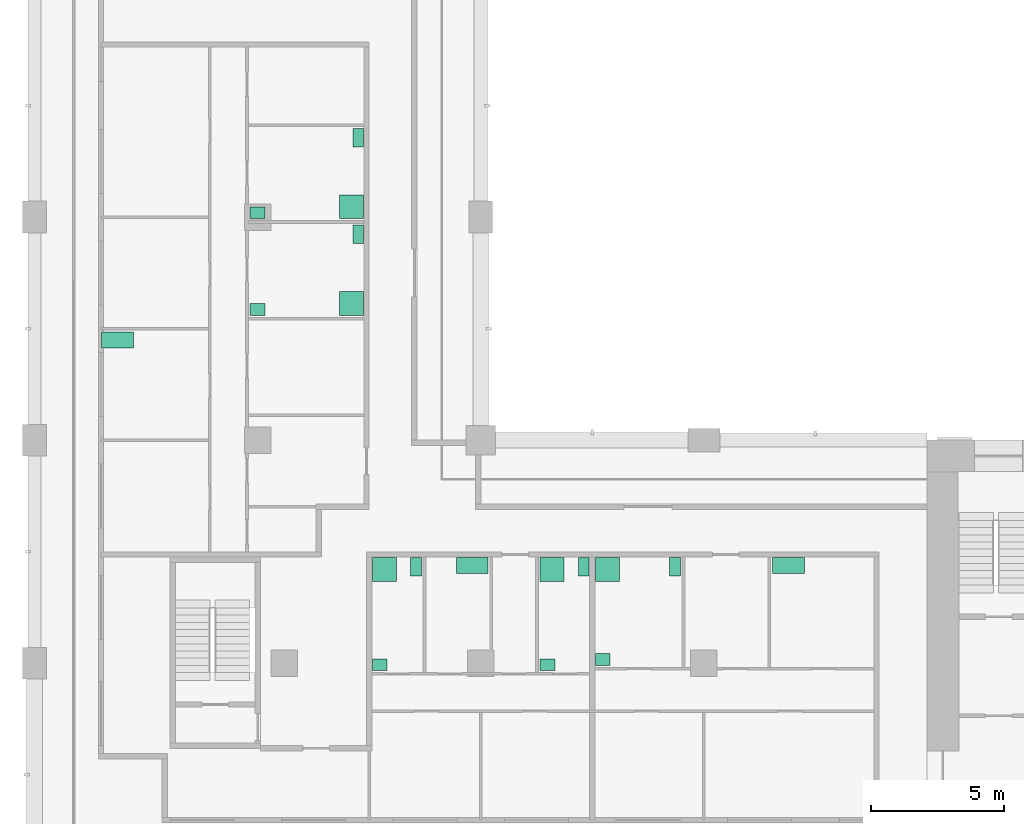
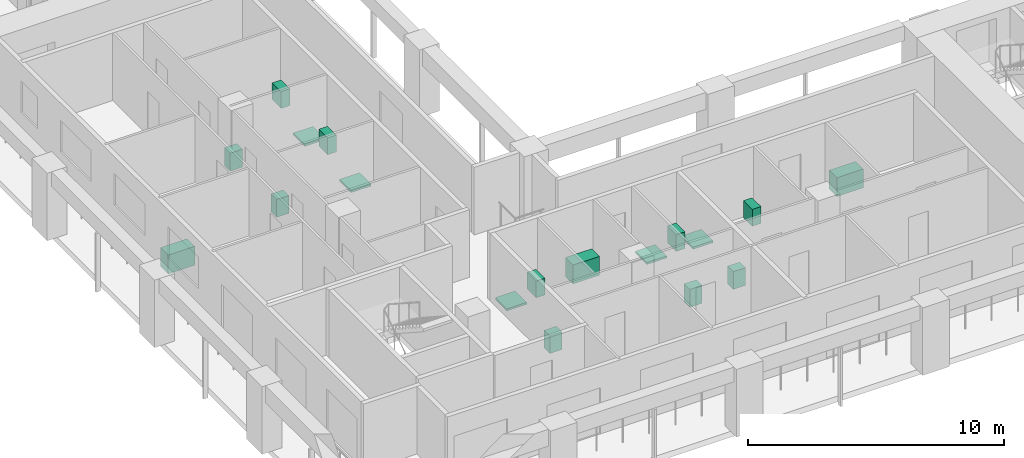
# One storey, part 10 of 10: 18 sanitary terminals.
"""IFC4 building model written with IfcOpenShell, lengths in metres."""

from ifc_helpers import new_model, si_unit, direction, frame, origin, origin_2d, place, context, subcontext, project, spatial, rectangle, extrude, material, element, save


model = new_model("IFC4")

# Units and contexts
model_context = context("Model", 3, precision=1e-05, world=origin(), true_north=direction((0.0, 1.0)))
body_context = subcontext(model_context, "Body", "Model", "MODEL_VIEW")
ifc_project = project(units=[si_unit("LENGTHUNIT", "METRE"), si_unit("AREAUNIT", "SQUARE_METRE"), si_unit("VOLUMEUNIT", "CUBIC_METRE"), si_unit("PLANEANGLEUNIT", "RADIAN"), si_unit("MASSUNIT", "GRAM", prefix="KILO")], contexts=[model_context])

# Site, building, storey
site_placement = place(None, origin())
site = spatial("IfcSite", under=ifc_project, at=site_placement, CompositionType="ELEMENT")
building_placement = place(site_placement, origin())
building = spatial("IfcBuilding", under=site, at=building_placement, Name="Vermilion Gate Residences", CompositionType="ELEMENT")
storey_placement = place(building_placement, frame((0.0, 0.0, 172.199951171875)))
storey = spatial("IfcBuildingStorey", under=building, at=storey_placement, Name="L44", CompositionType="ELEMENT", Elevation=172.199951171875)

# Sanitary terminals
ifc_material_1 = material(Name="Vitreous china")
sanitary_terminal_1_placement = place(storey_placement, frame((21.570068359375, 20.330078125, 0.0), z_axis=(0.0, 0.0, 1.0), x_axis=(1.0, 0.0, 0.0)))
element("IfcSanitaryTerminal", 1, at=sanitary_terminal_1_placement, inside=storey, material=ifc_material_1, Name="Shower tray", PredefinedType="SHOWER", context=body_context, shape_type="SweptSolid", body=[
    extrude(rectangle(XDim=0.89990234375, YDim=0.89990234375, at=origin_2d()), origin(), (0.0, 0.0, 1.0), 0.10009765625),
])
sanitary_terminal_2_placement = place(storey_placement, frame((22.760009765625, 20.429931640625, 0.0), z_axis=(0.0, 0.0, 1.0), x_axis=(1.0, 0.0, 0.0)))
element("IfcSanitaryTerminal", 2, at=sanitary_terminal_2_placement, inside=storey, material=ifc_material_1, Name="Toilet", PredefinedType="TOILETPAN", context=body_context, shape_type="SweptSolid", body=[
    extrude(rectangle(XDim=0.39990234375, YDim=0.699951171875, at=origin_2d()), origin(), (0.0, 0.0, 1.0), 0.800048828125),
])
sanitary_terminal_3_placement = place(storey_placement, frame((21.39501953125, 16.7451171875, 0.0), z_axis=(0.0, 0.0, 1.0), x_axis=(1.0, 0.0, 0.0)))
element("IfcSanitaryTerminal", 3, at=sanitary_terminal_3_placement, inside=storey, material=ifc_material_1, Name="Wash basin", PredefinedType="WASHHANDBASIN", context=body_context, shape_type="SweptSolid", body=[
    extrude(rectangle(XDim=0.550048828125, YDim=0.449951171875, at=origin_2d()), origin(), (0.0, 0.0, 1.0), 0.85009765625),
])
ifc_material_2 = material(Name="Stainless steel", Category="steel")
sanitary_terminal_4_placement = place(storey_placement, frame((24.8798828125, 20.47998046875, 0.0), z_axis=(0.0, 0.0, 1.0), x_axis=(1.0, 0.0, 0.0)))
element("IfcSanitaryTerminal", 4, at=sanitary_terminal_4_placement, inside=storey, material=ifc_material_2, Name="Kitchen sink", PredefinedType="SINK", context=body_context, shape_type="SweptSolid", body=[
    extrude(rectangle(XDim=1.199951171875, YDim=0.60009765625, at=origin_2d()), origin(), (0.0, 0.0, 1.0), 0.89990234375),
])
sanitary_terminal_5_placement = place(storey_placement, frame((27.889892578125, 20.330078125, 0.0), z_axis=(0.0, 0.0, 1.0), x_axis=(1.0, 0.0, 0.0)))
element("IfcSanitaryTerminal", 5, at=sanitary_terminal_5_placement, inside=storey, material=ifc_material_1, Name="Shower tray", PredefinedType="SHOWER", context=body_context, shape_type="SweptSolid", body=[
    extrude(rectangle(XDim=0.89990234375, YDim=0.89990234375, at=origin_2d()), origin(), (0.0, 0.0, 1.0), 0.10009765625),
])
sanitary_terminal_6_placement = place(storey_placement, frame((29.080078125, 20.429931640625, 0.0), z_axis=(0.0, 0.0, 1.0), x_axis=(1.0, 0.0, 0.0)))
element("IfcSanitaryTerminal", 6, at=sanitary_terminal_6_placement, inside=storey, material=ifc_material_1, Name="Toilet", PredefinedType="TOILETPAN", context=body_context, shape_type="SweptSolid", body=[
    extrude(rectangle(XDim=0.39990234375, YDim=0.699951171875, at=origin_2d()), origin(), (0.0, 0.0, 1.0), 0.800048828125),
])
sanitary_terminal_7_placement = place(storey_placement, frame((27.715087890625, 16.7451171875, 0.0), z_axis=(0.0, 0.0, 1.0), x_axis=(1.0, 0.0, 0.0)))
element("IfcSanitaryTerminal", 7, at=sanitary_terminal_7_placement, inside=storey, material=ifc_material_1, Name="Wash basin", PredefinedType="WASHHANDBASIN", context=body_context, shape_type="SweptSolid", body=[
    extrude(rectangle(XDim=0.550048828125, YDim=0.449951171875, at=origin_2d()), origin(), (0.0, 0.0, 1.0), 0.85009765625),
])
sanitary_terminal_8_placement = place(storey_placement, frame((29.969970703125, 20.330078125, 0.0), z_axis=(0.0, 0.0, 1.0), x_axis=(1.0, 0.0, 0.0)))
element("IfcSanitaryTerminal", 8, at=sanitary_terminal_8_placement, inside=storey, material=ifc_material_1, Name="Shower tray", PredefinedType="SHOWER", context=body_context, shape_type="SweptSolid", body=[
    extrude(rectangle(XDim=0.89990234375, YDim=0.89990234375, at=origin_2d()), origin(), (0.0, 0.0, 1.0), 0.10009765625),
])
sanitary_terminal_9_placement = place(storey_placement, frame((32.512939453125, 20.429931640625, 0.0), z_axis=(0.0, 0.0, 1.0), x_axis=(1.0, 0.0, 0.0)))
element("IfcSanitaryTerminal", 9, at=sanitary_terminal_9_placement, inside=storey, material=ifc_material_1, Name="Toilet", PredefinedType="TOILETPAN", context=body_context, shape_type="SweptSolid", body=[
    extrude(rectangle(XDim=0.39990234375, YDim=0.699951171875, at=origin_2d()), origin(), (0.0, 0.0, 1.0), 0.800048828125),
])
sanitary_terminal_10_placement = place(storey_placement, frame((29.794921875, 16.945068359375, 0.0), z_axis=(0.0, 0.0, 1.0), x_axis=(1.0, 0.0, 0.0)))
element("IfcSanitaryTerminal", 10, at=sanitary_terminal_10_placement, inside=storey, material=ifc_material_1, Name="Wash basin", PredefinedType="WASHHANDBASIN", context=body_context, shape_type="SweptSolid", body=[
    extrude(rectangle(XDim=0.550048828125, YDim=0.449951171875, at=origin_2d()), origin(), (0.0, 0.0, 1.0), 0.85009765625),
])
for number, where, z_axis, x_axis, name in (
    (11, (36.787109375, 20.47998046875, 0.0), (0.0, 0.0, 1.0), (1.0, 0.0, 0.0), "Kitchen sink"),
    (12, (11.52001953125, 28.97998046875, 0.0), (0.0, 0.0, 1.0), (1.0, 0.0, 0.0), "Kitchen sink"),
):
    element("IfcSanitaryTerminal", number, at=place(storey_placement, frame(where, z_axis=z_axis, x_axis=x_axis)), inside=storey, material=ifc_material_2, Name=name, PredefinedType="SINK", context=body_context, shape_type="SweptSolid", body=[
        extrude(rectangle(XDim=1.199951171875, YDim=0.60009765625, at=origin_2d()), origin(), (0.0, 0.0, 1.0), 0.89990234375),
    ])
sanitary_terminal_11_placement = place(storey_placement, frame((20.330078125, 30.35009765625, 0.0), z_axis=(0.0, 0.0, 1.0), x_axis=(1.0, 0.0, 0.0)))
element("IfcSanitaryTerminal", 13, at=sanitary_terminal_11_placement, inside=storey, material=ifc_material_1, Name="Shower tray", PredefinedType="SHOWER", context=body_context, shape_type="SweptSolid", body=[
    extrude(rectangle(XDim=0.89990234375, YDim=0.89990234375, at=origin_2d()), origin(), (0.0, 0.0, 1.0), 0.10009765625),
])
sanitary_terminal_12_placement = place(storey_placement, frame((20.580078125, 32.949951171875, 0.0), z_axis=(0.0, 0.0, 1.0), x_axis=(1.0, 0.0, 0.0)))
element("IfcSanitaryTerminal", 14, at=sanitary_terminal_12_placement, inside=storey, material=ifc_material_1, Name="Toilet", PredefinedType="TOILETPAN", context=body_context, shape_type="SweptSolid", body=[
    extrude(rectangle(XDim=0.39990234375, YDim=0.699951171875, at=origin_2d()), origin(), (0.0, 0.0, 1.0), 0.800048828125),
])
sanitary_terminal_13_placement = place(storey_placement, frame((16.794921875, 30.125, 0.0), z_axis=(0.0, 0.0, 1.0), x_axis=(1.0, 0.0, 0.0)))
element("IfcSanitaryTerminal", 15, at=sanitary_terminal_13_placement, inside=storey, material=ifc_material_1, Name="Wash basin", PredefinedType="WASHHANDBASIN", context=body_context, shape_type="SweptSolid", body=[
    extrude(rectangle(XDim=0.550048828125, YDim=0.449951171875, at=origin_2d()), origin(), (0.0, 0.0, 1.0), 0.85009765625),
])
sanitary_terminal_14_placement = place(storey_placement, frame((20.330078125, 33.989990234375, 0.0), z_axis=(0.0, 0.0, 1.0), x_axis=(1.0, 0.0, 0.0)))
element("IfcSanitaryTerminal", 16, at=sanitary_terminal_14_placement, inside=storey, material=ifc_material_1, Name="Shower tray", PredefinedType="SHOWER", context=body_context, shape_type="SweptSolid", body=[
    extrude(rectangle(XDim=0.89990234375, YDim=0.89990234375, at=origin_2d()), origin(), (0.0, 0.0, 1.0), 0.10009765625),
])
sanitary_terminal_15_placement = place(storey_placement, frame((20.580078125, 36.590087890625, 0.0), z_axis=(0.0, 0.0, 1.0), x_axis=(1.0, 0.0, 0.0)))
element("IfcSanitaryTerminal", 17, at=sanitary_terminal_15_placement, inside=storey, material=ifc_material_1, Name="Toilet", PredefinedType="TOILETPAN", context=body_context, shape_type="SweptSolid", body=[
    extrude(rectangle(XDim=0.39990234375, YDim=0.699951171875, at=origin_2d()), origin(), (0.0, 0.0, 1.0), 0.800048828125),
])
sanitary_terminal_16_placement = place(storey_placement, frame((16.794921875, 33.764892578125, 0.0), z_axis=(0.0, 0.0, 1.0), x_axis=(1.0, 0.0, 0.0)))
element("IfcSanitaryTerminal", 18, at=sanitary_terminal_16_placement, inside=storey, material=ifc_material_1, Name="Wash basin", PredefinedType="WASHHANDBASIN", context=body_context, shape_type="SweptSolid", body=[
    extrude(rectangle(XDim=0.550048828125, YDim=0.449951171875, at=origin_2d()), origin(), (0.0, 0.0, 1.0), 0.85009765625),
])

save(model, "model.ifc")
